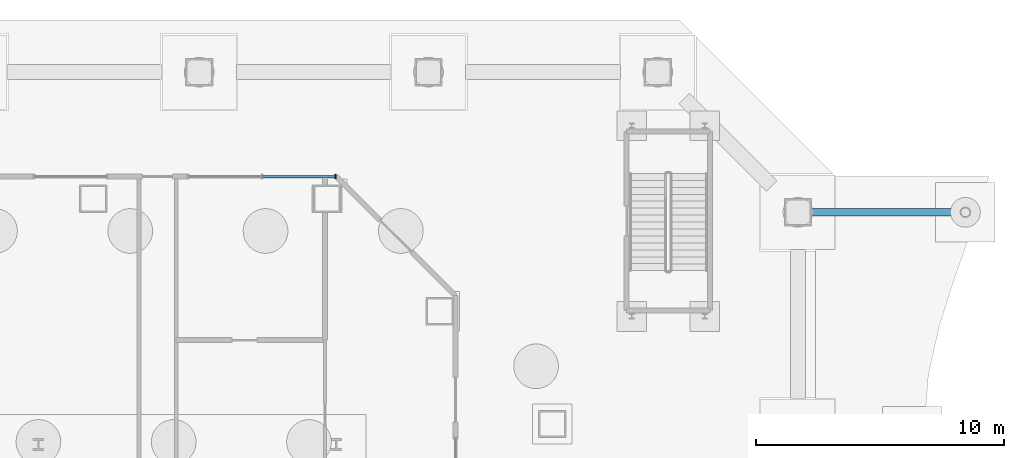
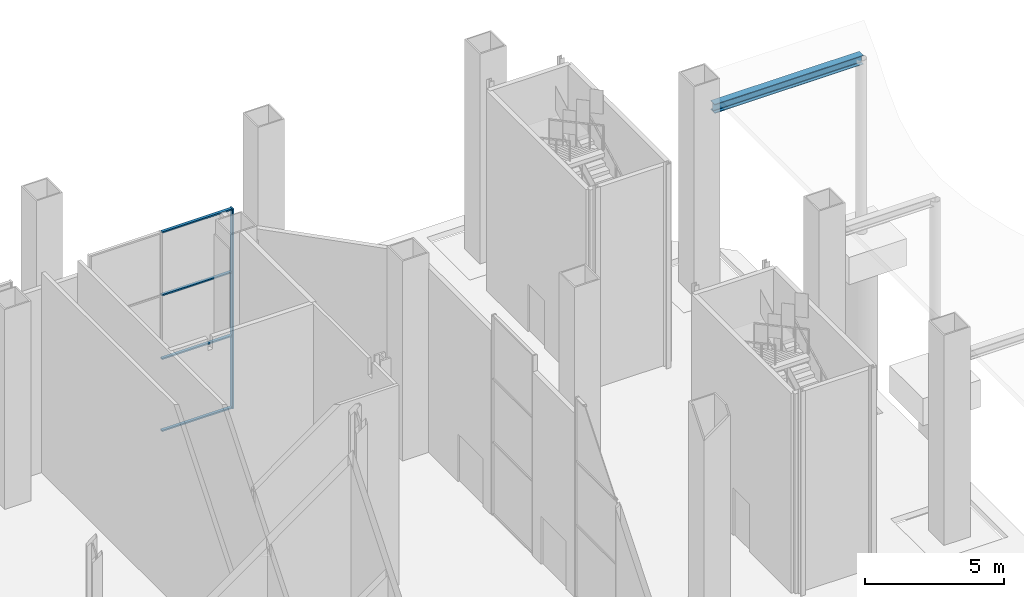
# One storey, part 19 of 38: 5 members, 1 beam, 1 element without a shape of its own.
"""IFC4 building model written with IfcOpenShell, lengths in metres."""

from ifc_helpers import new_model, si_unit, direction, frame, origin, origin_2d, place, context, subcontext, project, spatial, rectangle, i_section, extrude, material, material_profile, profile_set, type_object, element, aggregate, save


model = new_model("IFC4")

# Units and contexts
model_context = context("Model", 3, precision=1e-05, world=origin(), true_north=direction((0.0, 1.0)))
body_context = subcontext(model_context, "Body", "Model", "MODEL_VIEW")
ifc_project = project(units=[si_unit("LENGTHUNIT", "METRE"), si_unit("AREAUNIT", "SQUARE_METRE"), si_unit("VOLUMEUNIT", "CUBIC_METRE"), si_unit("PLANEANGLEUNIT", "RADIAN"), si_unit("MASSUNIT", "GRAM", prefix="KILO")], contexts=[model_context])

# Site, building, storey
site_placement = place(None, origin())
site = spatial("IfcSite", under=ifc_project, at=site_placement, CompositionType="ELEMENT")
building_placement = place(site_placement, origin())
building = spatial("IfcBuilding", under=site, at=building_placement, Name="Cairn Pilgrim Tower", CompositionType="ELEMENT")
storey_placement = place(building_placement, origin())
storey = spatial("IfcBuildingStorey", under=building, at=storey_placement, Name="L00", CompositionType="ELEMENT", Elevation=0.0)

# Beam
ifc_material_1 = material(Name="Structural steel S355J2", Category="steel")
ifc_material_profile_1 = material_profile(ifc_material_1, i_section(OverallWidth=0.300048828125, OverallDepth=0.39990234375, WebThickness=0.013427734375, FlangeThickness=0.02392578125, FilletRadius=0.027099609375, at=origin_2d()), Name="HE 400 B")
ifc_profile_set_1 = profile_set([ifc_material_profile_1], Name="Structural steel S355J2")
beam_type = type_object("IfcBeamType", Name="MARQUISE BEAM HE 400 B", PredefinedType="BEAM", material=ifc_profile_set_1)
beam_placement = place(storey_placement, frame((38.35009765625, 22.551513671875, 7.39990234375), z_axis=(1.0, 0.0, 0.0), x_axis=(0.0, 1.0, 0.0)))
element("IfcBeam", 1, at=beam_placement, inside=storey, type_object=beam_type, Name="MARQUISE BEAM NE1", PredefinedType="BEAM", context=body_context, shape_type="SweptSolid", body=[
    extrude(i_section(OverallWidth=0.300048828125, OverallDepth=0.39990234375, WebThickness=0.013427734375, FlangeThickness=0.02392578125, FilletRadius=0.027099609375, at=origin_2d()), origin(), (0.0, 0.0, 1.0), 6.19580078125),
])

# Curtain wall, members
ifc_material_2 = material(Name="Bronze anodised aluminium with Tinted laminated low-E glass", Category="aluminium")
curtain_wall_type = type_object("IfcCurtainWallType", Name="PAVILION CW", PredefinedType="NOTDEFINED", material=ifc_material_2)
curtain_wall_placement = place(storey_placement, origin())
curtain_wall = element("IfcCurtainWall", 2, at=curtain_wall_placement, inside=storey, type_object=curtain_wall_type, Name="PAVILION CW 4.1", PredefinedType="NOTDEFINED")
ifc_material_3 = material(Name="Bronze anodised aluminium", Category="aluminium")
ifc_material_profile_2 = material_profile(ifc_material_3, rectangle(XDim=0.179931640625, YDim=0.06005859375, at=origin_2d()), Name="PAVILION MULLION 60x180 BRONZE")
ifc_profile_set_2 = profile_set([ifc_material_profile_2], Name="Bronze anodised aluminium")
member_type_1 = type_object("IfcMemberType", Name="PAVILION MULLION 60x180 BRONZE", PredefinedType="MULLION", material=ifc_profile_set_2)
member_1_placement = place(storey_placement, frame((19.169921875, 24.0, 0.0), z_axis=(0.0, 0.0, 1.0), x_axis=(0.0, -1.0, 0.0)))
member_1 = element("IfcMember", 3, at=member_1_placement, type_object=member_type_1, Name="PCW-41 mullion 1", PredefinedType="MULLION", context=body_context, shape_type="SweptSolid", body=[
    extrude(rectangle(XDim=0.179931640625, YDim=0.06005859375, at=origin_2d()), origin(), (0.0, 0.0, 1.0), 8.800048828125),
])
ifc_material_profile_3 = material_profile(ifc_material_3, rectangle(XDim=0.1201171875, YDim=0.06005859375, at=origin_2d()), Name="PAVILION TRANSOM 60x120 BRONZE")
ifc_profile_set_3 = profile_set([ifc_material_profile_3], Name="Bronze anodised aluminium")
member_type_2 = type_object("IfcMemberType", Name="PAVILION TRANSOM 60x120 BRONZE", PredefinedType="USERDEFINED", material=ifc_profile_set_3)
member_2_placement = place(storey_placement, frame((19.139892578125, 24.0, 0.030029296875), z_axis=(-1.0, 0.0, 0.0), x_axis=(0.0, -1.0, 0.0)))
member_2 = element("IfcMember", 4, at=member_2_placement, type_object=member_type_2, Name="PCW-41 transom 1.1", ObjectType="TRANSOM", PredefinedType="USERDEFINED", context=body_context, shape_type="SweptSolid", body=[
    extrude(rectangle(XDim=0.1201171875, YDim=0.06005859375, at=origin_2d()), origin(), (0.0, 0.0, 1.0), 2.909912109375),
])
member_3_placement = place(storey_placement, frame((19.139892578125, 24.0, 3.199951171875), z_axis=(-1.0, 0.0, 0.0), x_axis=(0.0, -1.0, 0.0)))
member_3 = element("IfcMember", 5, at=member_3_placement, type_object=member_type_2, Name="PCW-41 transom 1.2", ObjectType="TRANSOM", PredefinedType="USERDEFINED", context=body_context, shape_type="SweptSolid", body=[
    extrude(rectangle(XDim=0.1201171875, YDim=0.06005859375, at=origin_2d()), origin(), (0.0, 0.0, 1.0), 2.909912109375),
])
member_4_placement = place(storey_placement, frame((19.139892578125, 24.0, 6.0), z_axis=(-1.0, 0.0, 0.0), x_axis=(0.0, -1.0, 0.0)))
member_4 = element("IfcMember", 6, at=member_4_placement, type_object=member_type_2, Name="PCW-41 transom 1.3", ObjectType="TRANSOM", PredefinedType="USERDEFINED", context=body_context, shape_type="SweptSolid", body=[
    extrude(rectangle(XDim=0.1201171875, YDim=0.06005859375, at=origin_2d()), origin(), (0.0, 0.0, 1.0), 2.909912109375),
])
member_5_placement = place(storey_placement, frame((19.139892578125, 24.0, 8.77001953125), z_axis=(-1.0, 0.0, 0.0), x_axis=(0.0, -1.0, 0.0)))
member_5 = element("IfcMember", 7, at=member_5_placement, type_object=member_type_2, Name="PCW-41 transom 1.4", ObjectType="TRANSOM", PredefinedType="USERDEFINED", context=body_context, shape_type="SweptSolid", body=[
    extrude(rectangle(XDim=0.1201171875, YDim=0.06005859375, at=origin_2d()), origin(), (0.0, 0.0, 1.0), 2.909912109375),
])
aggregate(curtain_wall, [member_1, member_2, member_3, member_4, member_5])

save(model, "model.ifc")
